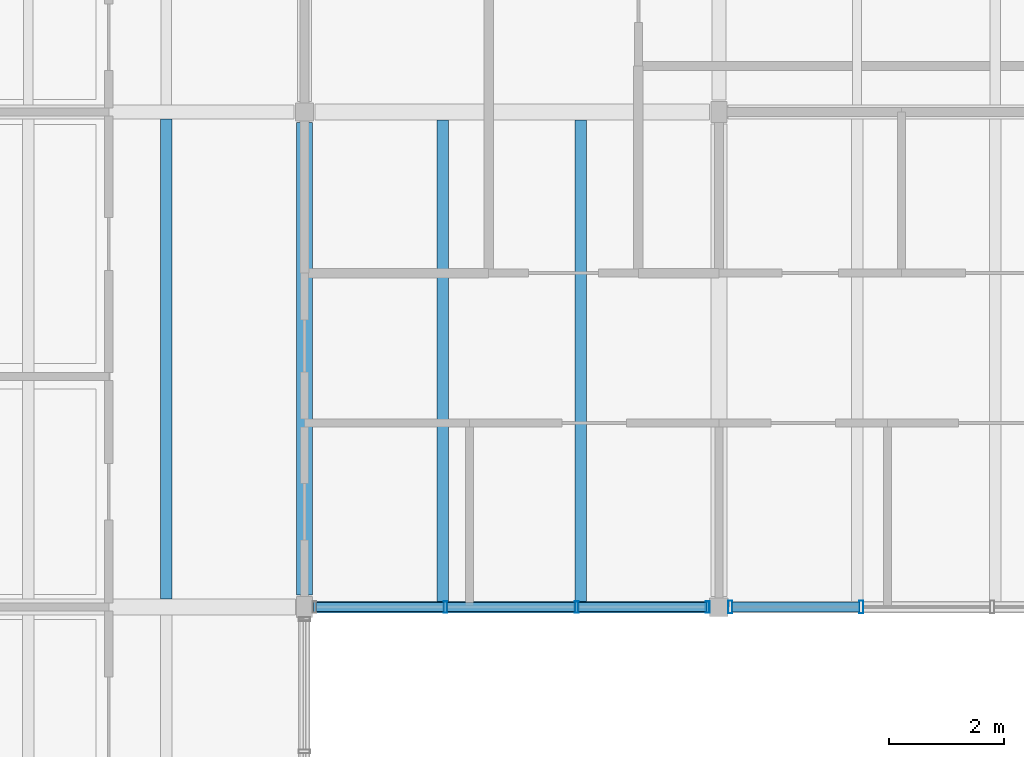
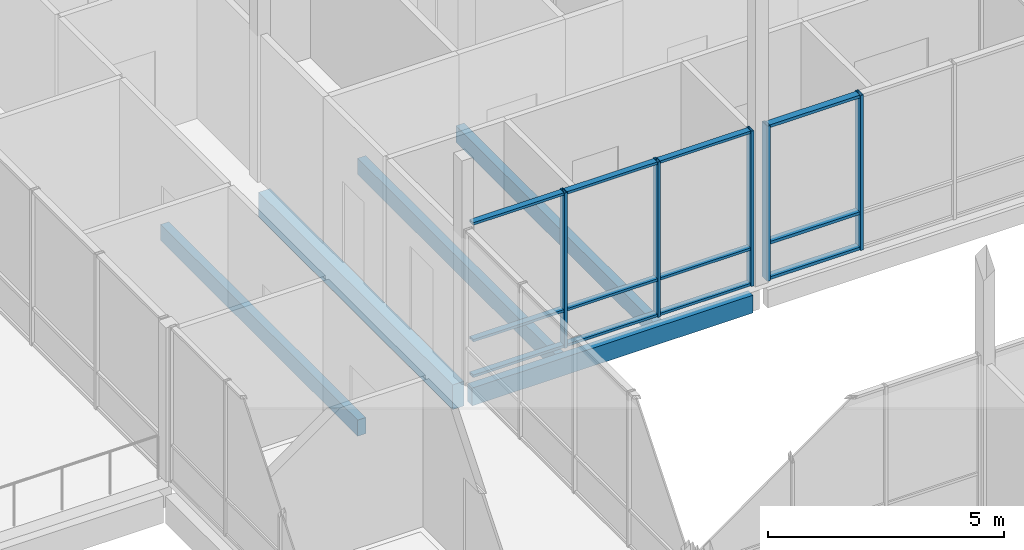
# One storey, part 62 of 115: 17 members, 5 beams, 2 elements without a shape of their own.
"""IFC4 building model written with IfcOpenShell, lengths in metres."""

from ifc_helpers import new_model, si_unit, direction, frame, origin, origin_2d, place, context, subcontext, project, spatial, rectangle, hollow_rectangle, extrude, material, material_profile, profile_set, type_object, element, aggregate, save


model = new_model("IFC4")

# Units and contexts
model_context = context("Model", 3, precision=1e-05, world=origin(), true_north=direction((0.0, 1.0)))
body_context = subcontext(model_context, "Body", "Model", "MODEL_VIEW")
ifc_project = project(units=[si_unit("LENGTHUNIT", "METRE"), si_unit("AREAUNIT", "SQUARE_METRE"), si_unit("VOLUMEUNIT", "CUBIC_METRE"), si_unit("PLANEANGLEUNIT", "RADIAN"), si_unit("MASSUNIT", "GRAM", prefix="KILO")], contexts=[model_context])

# Site, building, storey
site_placement = place(None, origin())
site = spatial("IfcSite", under=ifc_project, at=site_placement, CompositionType="ELEMENT")
building_placement = place(site_placement, origin())
building = spatial("IfcBuilding", under=site, at=building_placement, Name="Hawrajan Terrace Health Centre", CompositionType="ELEMENT")
storey_placement = place(building_placement, frame((0.0, 0.0, 9.0)))
storey = spatial("IfcBuildingStorey", under=building, at=storey_placement, Name="L02", CompositionType="ELEMENT", Elevation=9.0)

# Curtain wall, members
ifc_material_1 = material(Name="Anodized bronze aluminium and low-E solar glazing", Category="aluminium")
curtain_wall_type_1 = type_object("IfcCurtainWallType", Name="CW_CourtNS_SeriesC1", PredefinedType="USERDEFINED", material=ifc_material_1)
curtain_wall_1_placement = place(storey_placement, origin())
curtain_wall_1 = element("IfcCurtainWall", 1, at=curtain_wall_1_placement, inside=storey, type_object=curtain_wall_type_1, Name="Curtain wall CW-L02-151", ObjectType="UNITISED CURTAIN WALL", PredefinedType="USERDEFINED")
ifc_material_2 = material(Name="Anodized bronze aluminium 6063-T6", Category="aluminium")
ifc_material_profile_1 = material_profile(ifc_material_2, hollow_rectangle(XDim=0.06494140625, YDim=0.199951171875, WallThickness=0.00439453125, at=origin_2d()), Name="CW MUL 65x200")
ifc_profile_set_1 = profile_set([ifc_material_profile_1], Name="Anodized bronze aluminium 6063-T6")
member_type_1 = type_object("IfcMemberType", Name="CWMullion_65x200", PredefinedType="MULLION", material=ifc_profile_set_1)
member_1_placement = place(storey_placement, frame((153.45068359375, 36.800048828125, -0.0048828125), z_axis=(0.0, 0.0, 1.0), x_axis=(1.0, 0.0, 0.0)))
member_1 = element("IfcMember", 2, at=member_1_placement, type_object=member_type_1, Name="Mullion CW-L02-151-M2", PredefinedType="MULLION", context=body_context, shape_type="SweptSolid", body=[
    extrude(hollow_rectangle(XDim=0.06494140625, YDim=0.199951171875, WallThickness=0.00439453125, at=origin_2d()), origin(), (0.0, 0.0, 1.0), 4.009765625),
])
member_2_placement = place(storey_placement, frame((155.729248046875, 36.800048828125, -0.0048828125), z_axis=(0.0, 0.0, 1.0), x_axis=(1.0, 0.0, 0.0)))
member_2 = element("IfcMember", 3, at=member_2_placement, type_object=member_type_1, Name="Mullion CW-L02-151-M3", PredefinedType="MULLION", context=body_context, shape_type="SweptSolid", body=[
    extrude(hollow_rectangle(XDim=0.06494140625, YDim=0.199951171875, WallThickness=0.00439453125, at=origin_2d()), origin(), (0.0, 0.0, 1.0), 4.009765625),
])
member_3_placement = place(storey_placement, frame((158.007568359375, 36.800048828125, -0.0048828125), z_axis=(0.0, 0.0, 1.0), x_axis=(1.0, 0.0, 0.0)))
member_3 = element("IfcMember", 4, at=member_3_placement, type_object=member_type_1, Name="Mullion CW-L02-151-M4", PredefinedType="MULLION", context=body_context, shape_type="SweptSolid", body=[
    extrude(hollow_rectangle(XDim=0.06494140625, YDim=0.199951171875, WallThickness=0.00439453125, at=origin_2d()), origin(), (0.0, 0.0, 1.0), 4.009765625),
])

curtain_wall_type_2 = type_object("IfcCurtainWallType", Name="CW_Hall_SeriesD2", PredefinedType="USERDEFINED", material=ifc_material_1)
curtain_wall_2_placement = place(storey_placement, origin())
curtain_wall_2 = element("IfcCurtainWall", 5, at=curtain_wall_2_placement, inside=storey, type_object=curtain_wall_type_2, Name="Curtain wall CW-L02-155", ObjectType="UNITISED CURTAIN WALL", PredefinedType="USERDEFINED")
ifc_material_profile_2 = material_profile(ifc_material_2, hollow_rectangle(XDim=0.074951171875, YDim=0.219970703125, WallThickness=0.0048828125, at=origin_2d()), Name="CW MUL 75x220")
ifc_profile_set_2 = profile_set([ifc_material_profile_2], Name="Anodized bronze aluminium 6063-T6")
member_type_2 = type_object("IfcMemberType", Name="CWMullion_75x220", PredefinedType="MULLION", material=ifc_profile_set_2)
member_4_placement = place(storey_placement, frame((158.3974609375, 36.800048828125, -0.0048828125), z_axis=(0.0, 0.0, 1.0), x_axis=(1.0, 0.0, 0.0)))
member_4 = element("IfcMember", 6, at=member_4_placement, type_object=member_type_2, Name="Mullion CW-L02-155-M1", PredefinedType="MULLION", context=body_context, shape_type="SweptSolid", body=[
    extrude(hollow_rectangle(XDim=0.074951171875, YDim=0.219970703125, WallThickness=0.0048828125, at=origin_2d()), origin(), (0.0, 0.0, 1.0), 4.009765625),
])
member_5_placement = place(storey_placement, frame((160.672607421875, 36.800048828125, -0.0048828125), z_axis=(0.0, 0.0, 1.0), x_axis=(1.0, 0.0, 0.0)))
member_5 = element("IfcMember", 7, at=member_5_placement, type_object=member_type_2, Name="Mullion CW-L02-155-M2", PredefinedType="MULLION", context=body_context, shape_type="SweptSolid", body=[
    extrude(hollow_rectangle(XDim=0.074951171875, YDim=0.219970703125, WallThickness=0.0048828125, at=origin_2d()), origin(), (0.0, 0.0, 1.0), 4.009765625),
])

# Member
ifc_material_profile_3 = material_profile(ifc_material_2, hollow_rectangle(XDim=0.06494140625, YDim=0.14990234375, WallThickness=0.00390625, at=origin_2d()), Name="CW TRN 65x150")
ifc_profile_set_3 = profile_set([ifc_material_profile_3], Name="Anodized bronze aluminium 6063-T6")
member_type_3 = type_object("IfcMemberType", Name="CWTransom_65x150", PredefinedType="USERDEFINED", material=ifc_profile_set_3)
member_6_placement = place(storey_placement, frame((151.198974609375, 36.800048828125, 0.032470703125), z_axis=(1.0, 0.0, 0.0), x_axis=(0.0, 0.0, 1.0)))
member_6 = element("IfcMember", 8, at=member_6_placement, type_object=member_type_3, Name="Transom CW-L02-151-T1-1", ObjectType="TRANSOM", PredefinedType="USERDEFINED", context=body_context, shape_type="SweptSolid", body=[
    extrude(hollow_rectangle(XDim=0.06494140625, YDim=0.14990234375, WallThickness=0.00390625, at=origin_2d()), origin(), (0.0, 0.0, 1.0), 2.225341796875),
])

member_7_placement = place(storey_placement, frame((151.198974609375, 36.800048828125, 0.949951171875), z_axis=(1.0, 0.0, 0.0), x_axis=(0.0, 0.0, 1.0)))
member_7 = element("IfcMember", 9, at=member_7_placement, type_object=member_type_3, Name="Transom CW-L02-151-T1-2", ObjectType="TRANSOM", PredefinedType="USERDEFINED", context=body_context, shape_type="SweptSolid", body=[
    extrude(hollow_rectangle(XDim=0.06494140625, YDim=0.14990234375, WallThickness=0.00390625, at=origin_2d()), origin(), (0.0, 0.0, 1.0), 2.225341796875),
])

member_8_placement = place(storey_placement, frame((151.198974609375, 36.800048828125, 3.967529296875), z_axis=(1.0, 0.0, 0.0), x_axis=(0.0, 0.0, 1.0)))
member_8 = element("IfcMember", 10, at=member_8_placement, type_object=member_type_3, Name="Transom CW-L02-151-T1-3", ObjectType="TRANSOM", PredefinedType="USERDEFINED", context=body_context, shape_type="SweptSolid", body=[
    extrude(hollow_rectangle(XDim=0.06494140625, YDim=0.14990234375, WallThickness=0.00390625, at=origin_2d()), origin(), (0.0, 0.0, 1.0), 2.225341796875),
])

member_9_placement = place(storey_placement, frame((153.477294921875, 36.800048828125, 0.032470703125), z_axis=(1.0, 0.0, 0.0), x_axis=(0.0, 0.0, 1.0)))
member_9 = element("IfcMember", 11, at=member_9_placement, type_object=member_type_3, Name="Transom CW-L02-151-T2-1", ObjectType="TRANSOM", PredefinedType="USERDEFINED", context=body_context, shape_type="SweptSolid", body=[
    extrude(hollow_rectangle(XDim=0.06494140625, YDim=0.14990234375, WallThickness=0.00390625, at=origin_2d()), origin(), (0.0, 0.0, 1.0), 2.225341796875),
])

member_10_placement = place(storey_placement, frame((153.477294921875, 36.800048828125, 0.949951171875), z_axis=(1.0, 0.0, 0.0), x_axis=(0.0, 0.0, 1.0)))
member_10 = element("IfcMember", 12, at=member_10_placement, type_object=member_type_3, Name="Transom CW-L02-151-T2-2", ObjectType="TRANSOM", PredefinedType="USERDEFINED", context=body_context, shape_type="SweptSolid", body=[
    extrude(hollow_rectangle(XDim=0.06494140625, YDim=0.14990234375, WallThickness=0.00390625, at=origin_2d()), origin(), (0.0, 0.0, 1.0), 2.225341796875),
])

member_11_placement = place(storey_placement, frame((153.477294921875, 36.800048828125, 3.967529296875), z_axis=(1.0, 0.0, 0.0), x_axis=(0.0, 0.0, 1.0)))
member_11 = element("IfcMember", 13, at=member_11_placement, type_object=member_type_3, Name="Transom CW-L02-151-T2-3", ObjectType="TRANSOM", PredefinedType="USERDEFINED", context=body_context, shape_type="SweptSolid", body=[
    extrude(hollow_rectangle(XDim=0.06494140625, YDim=0.14990234375, WallThickness=0.00390625, at=origin_2d()), origin(), (0.0, 0.0, 1.0), 2.225341796875),
])

member_12_placement = place(storey_placement, frame((155.755615234375, 36.800048828125, 0.032470703125), z_axis=(1.0, 0.0, 0.0), x_axis=(0.0, 0.0, 1.0)))
member_12 = element("IfcMember", 14, at=member_12_placement, type_object=member_type_3, Name="Transom CW-L02-151-T3-1", ObjectType="TRANSOM", PredefinedType="USERDEFINED", context=body_context, shape_type="SweptSolid", body=[
    extrude(hollow_rectangle(XDim=0.06494140625, YDim=0.14990234375, WallThickness=0.00390625, at=origin_2d()), origin(), (0.0, 0.0, 1.0), 2.225341796875),
])

member_13_placement = place(storey_placement, frame((155.755615234375, 36.800048828125, 0.949951171875), z_axis=(1.0, 0.0, 0.0), x_axis=(0.0, 0.0, 1.0)))
member_13 = element("IfcMember", 15, at=member_13_placement, type_object=member_type_3, Name="Transom CW-L02-151-T3-2", ObjectType="TRANSOM", PredefinedType="USERDEFINED", context=body_context, shape_type="SweptSolid", body=[
    extrude(hollow_rectangle(XDim=0.06494140625, YDim=0.14990234375, WallThickness=0.00390625, at=origin_2d()), origin(), (0.0, 0.0, 1.0), 2.225341796875),
])

member_14_placement = place(storey_placement, frame((155.755615234375, 36.800048828125, 3.967529296875), z_axis=(1.0, 0.0, 0.0), x_axis=(0.0, 0.0, 1.0)))
member_14 = element("IfcMember", 16, at=member_14_placement, type_object=member_type_3, Name="Transom CW-L02-151-T3-3", ObjectType="TRANSOM", PredefinedType="USERDEFINED", context=body_context, shape_type="SweptSolid", body=[
    extrude(hollow_rectangle(XDim=0.06494140625, YDim=0.14990234375, WallThickness=0.00390625, at=origin_2d()), origin(), (0.0, 0.0, 1.0), 2.225341796875),
])

aggregate(curtain_wall_1, [member_1, member_2, member_3, member_6, member_7, member_8, member_9, member_10, member_11, member_12, member_13, member_14])

ifc_material_profile_4 = material_profile(ifc_material_2, hollow_rectangle(XDim=0.074951171875, YDim=0.169921875, WallThickness=0.00439453125, at=origin_2d()), Name="CW TRN 75x170")
ifc_profile_set_4 = profile_set([ifc_material_profile_4], Name="Anodized bronze aluminium 6063-T6")
member_type_4 = type_object("IfcMemberType", Name="CWTransom_75x170", PredefinedType="USERDEFINED", material=ifc_profile_set_4)
member_15_placement = place(storey_placement, frame((158.428955078125, 36.800048828125, 0.03759765625), z_axis=(1.0, 0.0, 0.0), x_axis=(0.0, 0.0, 1.0)))
member_15 = element("IfcMember", 17, at=member_15_placement, type_object=member_type_4, Name="Transom CW-L02-155-T1-1", ObjectType="TRANSOM", PredefinedType="USERDEFINED", context=body_context, shape_type="SweptSolid", body=[
    extrude(hollow_rectangle(XDim=0.074951171875, YDim=0.169921875, WallThickness=0.00439453125, at=origin_2d()), origin(), (0.0, 0.0, 1.0), 2.212158203125),
])

member_16_placement = place(storey_placement, frame((158.428955078125, 36.800048828125, 0.949951171875), z_axis=(1.0, 0.0, 0.0), x_axis=(0.0, 0.0, 1.0)))
member_16 = element("IfcMember", 18, at=member_16_placement, type_object=member_type_4, Name="Transom CW-L02-155-T1-2", ObjectType="TRANSOM", PredefinedType="USERDEFINED", context=body_context, shape_type="SweptSolid", body=[
    extrude(hollow_rectangle(XDim=0.074951171875, YDim=0.169921875, WallThickness=0.00439453125, at=origin_2d()), origin(), (0.0, 0.0, 1.0), 2.212158203125),
])

member_17_placement = place(storey_placement, frame((158.428955078125, 36.800048828125, 3.96240234375), z_axis=(1.0, 0.0, 0.0), x_axis=(0.0, 0.0, 1.0)))
member_17 = element("IfcMember", 19, at=member_17_placement, type_object=member_type_4, Name="Transom CW-L02-155-T1-3", ObjectType="TRANSOM", PredefinedType="USERDEFINED", context=body_context, shape_type="SweptSolid", body=[
    extrude(hollow_rectangle(XDim=0.074951171875, YDim=0.169921875, WallThickness=0.00439453125, at=origin_2d()), origin(), (0.0, 0.0, 1.0), 2.212158203125),
])

aggregate(curtain_wall_2, [member_4, member_5, member_15, member_16, member_17])

# Beams
ifc_material_3 = material(Name="Glulam GL32h", Category="wood")
ifc_material_profile_5 = material_profile(ifc_material_3, rectangle(XDim=0.280029296875, YDim=0.639892578125, at=origin_2d()), Name="GL BM 280x640")
ifc_profile_set_5 = profile_set([ifc_material_profile_5], Name="Glulam GL32h")
beam_type_1 = type_object("IfcBeamType", Name="GlulamGirder_280x640", PredefinedType="BEAM", material=ifc_profile_set_5)
beam_1_placement = place(storey_placement, frame((151.0, 37.010009765625, -0.56005859375), z_axis=(0.0, 1.0, 0.0), x_axis=(-1.0, 0.0, 0.0)))
element("IfcBeam", 20, at=beam_1_placement, inside=storey, type_object=beam_type_1, Name="Beam BM-Y-L02-E-X20-5", PredefinedType="BEAM", context=body_context, shape_type="SweptSolid", body=[
    extrude(rectangle(XDim=0.280029296875, YDim=0.639892578125, at=origin_2d()), origin(), (0.0, 0.0, 1.0), 8.2099609375),
])
ifc_material_4 = material(Name="Glulam GL28h", Category="wood")
ifc_material_profile_6 = material_profile(ifc_material_4, rectangle(XDim=0.199951171875, YDim=0.419921875, at=origin_2d()), Name="GL JST 200x420")
ifc_profile_set_6 = profile_set([ifc_material_profile_6], Name="Glulam GL28h")
beam_type_2 = type_object("IfcBeamType", Name="GlulamJoist_200x420", PredefinedType="JOIST", material=ifc_profile_set_6)
beam_2_placement = place(storey_placement, frame((148.60009765625, 36.93994140625, -0.489990234375), z_axis=(0.0, 1.0, 0.0), x_axis=(-1.0, 0.0, 0.0)))
element("IfcBeam", 21, at=beam_2_placement, inside=storey, type_object=beam_type_2, Name="Secondary joist JST-L02-E-19-5-2", PredefinedType="JOIST", context=body_context, shape_type="SweptSolid", body=[
    extrude(rectangle(XDim=0.199951171875, YDim=0.419921875, at=origin_2d()), origin(), (0.0, 0.0, 1.0), 8.340087890625),
])
for number, where, z_axis, x_axis, name in (
    (22, (153.39990234375, 36.89990234375, -0.449951171875), (0.0, 1.0, 0.0), (-1.0, 0.0, 0.0), "Secondary joist JST-L02-E-20-5-1"),
    (23, (155.800048828125, 36.89990234375, -0.449951171875), (0.0, 1.0, 0.0), (-1.0, 0.0, 0.0), "Secondary joist JST-L02-E-20-5-2"),
):
    element("IfcBeam", number, at=place(storey_placement, frame(where, z_axis=z_axis, x_axis=x_axis)), inside=storey, type_object=beam_type_2, Name=name, PredefinedType="JOIST", context=body_context, shape_type="SweptSolid", body=[
        extrude(rectangle(XDim=0.199951171875, YDim=0.419921875, at=origin_2d()), origin(), (0.0, 0.0, 1.0), 8.360107421875),
    ])
ifc_material_profile_7 = material_profile(ifc_material_3, rectangle(XDim=0.199951171875, YDim=0.4599609375, at=origin_2d()), Name="GL SP 200x460")
ifc_profile_set_7 = profile_set([ifc_material_profile_7], Name="Glulam GL32h")
beam_type_3 = type_object("IfcBeamType", Name="GlulamSpandrel_200x460", PredefinedType="SPANDREL", material=ifc_profile_set_7)
beam_3_placement = place(storey_placement, frame((151.159912109375, 36.800048828125, -0.469970703125), z_axis=(1.0, 0.0, 0.0), x_axis=(0.0, 1.0, 0.0)))
element("IfcBeam", 24, at=beam_3_placement, inside=storey, type_object=beam_type_3, Name="Beam BM-X-L02-E-20-Y5", PredefinedType="SPANDREL", context=body_context, shape_type="SweptSolid", body=[
    extrude(rectangle(XDim=0.199951171875, YDim=0.4599609375, at=origin_2d()), origin(), (0.0, 0.0, 1.0), 6.860107421875),
])

save(model, "model.ifc")
